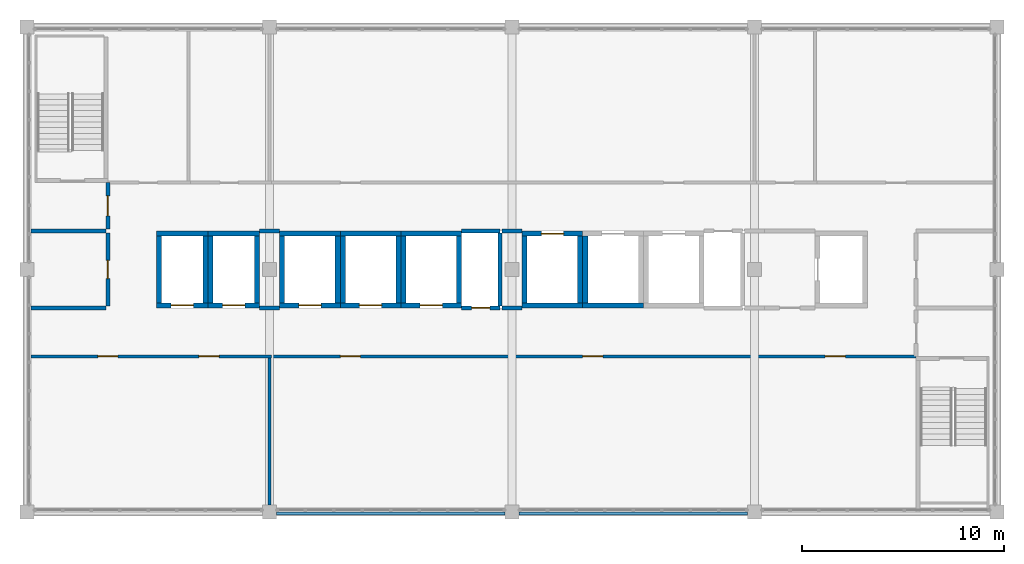
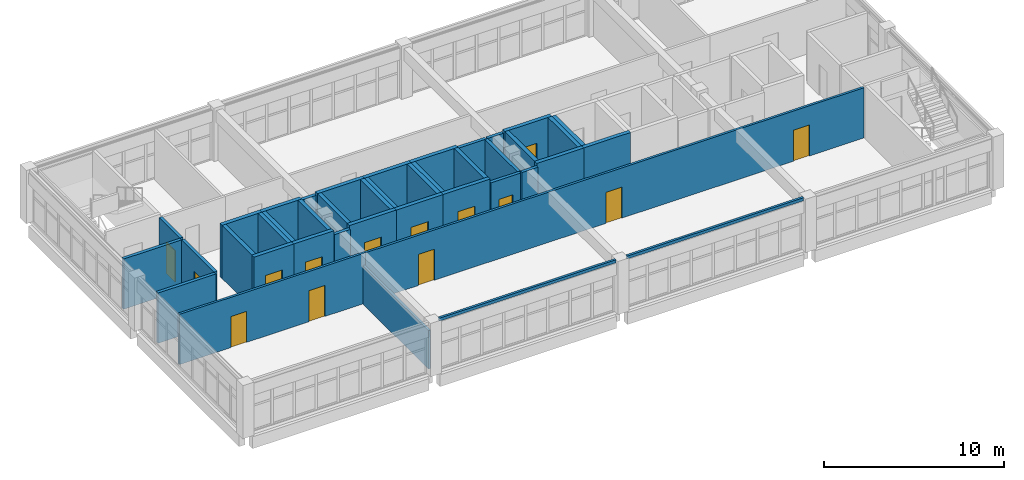
# One storey, part 13 of 16: 42 walls, 14 doors, 14 openings.
"""IFC4 building model written with IfcOpenShell, lengths in metres."""

from ifc_helpers import new_model, si_unit, direction, frame, frame_2d, origin, place, context, subcontext, project, spatial, rectangle, extrude, material, layer, layer_set, type_object, element, fill, save


model = new_model("IFC4")

# Units and contexts
model_context = context("Model", 3, precision=1e-05, world=origin(), true_north=direction((0.0, 1.0)))
body_context = subcontext(model_context, "Body", "Model", "MODEL_VIEW")
ifc_project = project(units=[si_unit("LENGTHUNIT", "METRE"), si_unit("AREAUNIT", "SQUARE_METRE"), si_unit("VOLUMEUNIT", "CUBIC_METRE"), si_unit("PLANEANGLEUNIT", "RADIAN"), si_unit("MASSUNIT", "GRAM", prefix="KILO")], contexts=[model_context])

# Site, building, storey
site_placement = place(None, origin())
site = spatial("IfcSite", under=ifc_project, at=site_placement, CompositionType="ELEMENT")
building_placement = place(site_placement, origin())
building = spatial("IfcBuilding", under=site, at=building_placement, Name="Lilac Gate Convention Centre", CompositionType="ELEMENT")
storey_placement = place(building_placement, frame((0.0, 0.0, 67.800048828125)))
storey = spatial("IfcBuildingStorey", under=building, at=storey_placement, Name="L17", CompositionType="ELEMENT", Elevation=67.800048828125)

# Wall, opening, door
ifc_material_1 = material(Name="Concrete C40", Category="concrete")
ifc_layer_1 = layer(ifc_material_1, 0.25)
ifc_layer_set_1 = layer_set([ifc_layer_1], Name="Concrete C40")
wall_type_1 = type_object("IfcWallType", Name="Core wall 250 C40", PredefinedType="SHEAR", material=ifc_layer_set_1)
wall_1_placement = place(storey_placement, frame((54.5, 232.22509765625, 0.0), z_axis=(0.0, 0.0, 1.0), x_axis=(1.0, 0.0, 0.0)))
wall_1 = element("IfcWall", 1, at=wall_1_placement, inside=storey, type_object=wall_type_1, Name="CRW5 core wall TC L17 1", PredefinedType="SHEAR", context=body_context, shape_type="SweptSolid", body=[
    extrude(rectangle(XDim=3.0, YDim=0.25, at=frame_2d((1.5, 0.0))), origin(), (0.0, 0.0, 1.0), 3.599853515625),
])
opening_1_placement = place(wall_1_placement, frame((0.949951171875, 0.0, 0.0)))
opening_1 = element("IfcOpeningElement", 2, at=opening_1_placement, cuts=wall_1, Name="Opening T17-019", PredefinedType="OPENING", context=body_context, shape_type="SweptSolid", body=[
    extrude(rectangle(XDim=1.10009765625, YDim=2.10009765625, at=frame_2d((0.550048828125, 1.050048828125))), frame((0.0, 0.135009765625, 0.0), z_axis=(0.0, -1.0, 0.0), x_axis=(1.0, 0.0, 0.0)), (0.0, 0.0, 1.0), 0.27001953125),
])
ifc_material_2 = material(Name="Stainless steel 304", Category="steel")
door_type_1 = type_object("IfcDoorType", Name="Lift landing door 1100", OperationType="SLIDING_TO_LEFT", PredefinedType="DOOR", material=ifc_material_2)
door_1_placement = place(opening_1_placement, origin())
door_1 = element("IfcDoor", 3, at=door_1_placement, inside=storey, type_object=door_type_1, Name="Lift landing door TP1 L17", OperationType="SLIDING_TO_LEFT", OverallHeight=2.10009765625, OverallWidth=1.10009765625, PredefinedType="DOOR", context=body_context, shape_type="SweptSolid", body=[
    extrude(rectangle(XDim=1.10009765625, YDim=2.10009765625, at=frame_2d((0.550048828125, 1.050048828125))), frame((0.0, 0.02490234375, 0.0), z_axis=(0.0, -1.0, 0.0), x_axis=(1.0, 0.0, 0.0)), (0.0, 0.0, 1.0), 0.050048828125),
])
fill(opening_1, door_1)

# Walls
wall_2_placement = place(storey_placement, frame((54.5, 235.77490234375, 0.0), z_axis=(0.0, 0.0, 1.0), x_axis=(1.0, 0.0, 0.0)))
element("IfcWall", 4, at=wall_2_placement, inside=storey, type_object=wall_type_1, Name="CRW5 core wall TC L17 2", PredefinedType="SHEAR", context=body_context, shape_type="SweptSolid", body=[
    extrude(rectangle(XDim=3.0, YDim=0.25, at=frame_2d((1.5, 0.0))), origin(), (0.0, 0.0, 1.0), 3.599853515625),
])
for number, where, z_axis, x_axis, name in (
    (5, (54.625, 232.35009765625, 0.0), (0.0, 0.0, 1.0), (0.0, 1.0, 0.0), "CRW5 core wall TC L17 3"),
    (6, (57.375, 232.35009765625, 0.0), (0.0, 0.0, 1.0), (0.0, 1.0, 0.0), "CRW5 core wall TC L17 4"),
):
    element("IfcWall", number, at=place(storey_placement, frame(where, z_axis=z_axis, x_axis=x_axis)), inside=storey, type_object=wall_type_1, Name=name, PredefinedType="SHEAR", context=body_context, shape_type="SweptSolid", body=[
        extrude(rectangle(XDim=3.2998046875, YDim=0.25, at=frame_2d((1.64990234375, 0.0))), origin(), (0.0, 0.0, 1.0), 3.599853515625),
    ])

# Wall, opening, door
wall_3_placement = place(storey_placement, frame((57.5, 232.22509765625, 0.0), z_axis=(0.0, 0.0, 1.0), x_axis=(1.0, 0.0, 0.0)))
wall_3 = element("IfcWall", 7, at=wall_3_placement, inside=storey, type_object=wall_type_1, Name="CRW5 core wall TC L17 5", PredefinedType="SHEAR", context=body_context, shape_type="SweptSolid", body=[
    extrude(rectangle(XDim=3.0, YDim=0.25, at=frame_2d((1.5, 0.0))), origin(), (0.0, 0.0, 1.0), 3.599853515625),
])
opening_2_placement = place(wall_3_placement, frame((0.949951171875, 0.0, 0.0)))
opening_2 = element("IfcOpeningElement", 8, at=opening_2_placement, cuts=wall_3, Name="Opening T17-020", PredefinedType="OPENING", context=body_context, shape_type="SweptSolid", body=[
    extrude(rectangle(XDim=1.10009765625, YDim=2.10009765625, at=frame_2d((0.550048828125, 1.050048828125))), frame((0.0, 0.135009765625, 0.0), z_axis=(0.0, -1.0, 0.0), x_axis=(1.0, 0.0, 0.0)), (0.0, 0.0, 1.0), 0.27001953125),
])
door_2_placement = place(opening_2_placement, origin())
door_2 = element("IfcDoor", 9, at=door_2_placement, inside=storey, type_object=door_type_1, Name="Lift landing door TP2 L17", OperationType="SLIDING_TO_LEFT", OverallHeight=2.10009765625, OverallWidth=1.10009765625, PredefinedType="DOOR", context=body_context, shape_type="SweptSolid", body=[
    extrude(rectangle(XDim=1.10009765625, YDim=2.10009765625, at=frame_2d((0.550048828125, 1.050048828125))), frame((0.0, 0.02490234375, 0.0), z_axis=(0.0, -1.0, 0.0), x_axis=(1.0, 0.0, 0.0)), (0.0, 0.0, 1.0), 0.050048828125),
])
fill(opening_2, door_2)

# Walls
wall_4_placement = place(storey_placement, frame((57.5, 235.77490234375, 0.0), z_axis=(0.0, 0.0, 1.0), x_axis=(1.0, 0.0, 0.0)))
element("IfcWall", 10, at=wall_4_placement, inside=storey, type_object=wall_type_1, Name="CRW5 core wall TC L17 6", PredefinedType="SHEAR", context=body_context, shape_type="SweptSolid", body=[
    extrude(rectangle(XDim=3.0, YDim=0.25, at=frame_2d((1.5, 0.0))), origin(), (0.0, 0.0, 1.0), 3.599853515625),
])
for number, where, z_axis, x_axis, name in (
    (11, (57.625, 232.35009765625, 0.0), (0.0, 0.0, 1.0), (0.0, 1.0, 0.0), "CRW5 core wall TC L17 7"),
    (12, (60.375, 232.35009765625, 0.0), (0.0, 0.0, 1.0), (0.0, 1.0, 0.0), "CRW5 core wall TC L17 8"),
):
    element("IfcWall", number, at=place(storey_placement, frame(where, z_axis=z_axis, x_axis=x_axis)), inside=storey, type_object=wall_type_1, Name=name, PredefinedType="SHEAR", context=body_context, shape_type="SweptSolid", body=[
        extrude(rectangle(XDim=3.2998046875, YDim=0.25, at=frame_2d((1.64990234375, 0.0))), origin(), (0.0, 0.0, 1.0), 3.599853515625),
    ])

# Wall, opening, door
wall_5_placement = place(storey_placement, frame((60.5, 232.22509765625, 0.0), z_axis=(0.0, 0.0, 1.0), x_axis=(1.0, 0.0, 0.0)))
wall_5 = element("IfcWall", 13, at=wall_5_placement, inside=storey, type_object=wall_type_1, Name="CRW5 core wall TC L17 9", PredefinedType="SHEAR", context=body_context, shape_type="SweptSolid", body=[
    extrude(rectangle(XDim=3.0, YDim=0.25, at=frame_2d((1.5, 0.0))), origin(), (0.0, 0.0, 1.0), 3.599853515625),
])
opening_3_placement = place(wall_5_placement, frame((0.949951171875, 0.0, 0.0)))
opening_3 = element("IfcOpeningElement", 14, at=opening_3_placement, cuts=wall_5, Name="Opening T17-021", PredefinedType="OPENING", context=body_context, shape_type="SweptSolid", body=[
    extrude(rectangle(XDim=1.10009765625, YDim=2.10009765625, at=frame_2d((0.550048828125, 1.050048828125))), frame((0.0, 0.135009765625, 0.0), z_axis=(0.0, -1.0, 0.0), x_axis=(1.0, 0.0, 0.0)), (0.0, 0.0, 1.0), 0.27001953125),
])
door_3_placement = place(opening_3_placement, origin())
door_3 = element("IfcDoor", 15, at=door_3_placement, inside=storey, type_object=door_type_1, Name="Lift landing door TP3 L17", OperationType="SLIDING_TO_LEFT", OverallHeight=2.10009765625, OverallWidth=1.10009765625, PredefinedType="DOOR", context=body_context, shape_type="SweptSolid", body=[
    extrude(rectangle(XDim=1.10009765625, YDim=2.10009765625, at=frame_2d((0.550048828125, 1.050048828125))), frame((0.0, 0.02490234375, 0.0), z_axis=(0.0, -1.0, 0.0), x_axis=(1.0, 0.0, 0.0)), (0.0, 0.0, 1.0), 0.050048828125),
])
fill(opening_3, door_3)

# Walls
wall_6_placement = place(storey_placement, frame((60.5, 235.77490234375, 0.0), z_axis=(0.0, 0.0, 1.0), x_axis=(1.0, 0.0, 0.0)))
element("IfcWall", 16, at=wall_6_placement, inside=storey, type_object=wall_type_1, Name="CRW5 core wall TC L17 10", PredefinedType="SHEAR", context=body_context, shape_type="SweptSolid", body=[
    extrude(rectangle(XDim=3.0, YDim=0.25, at=frame_2d((1.5, 0.0))), origin(), (0.0, 0.0, 1.0), 3.599853515625),
])
for number, where, z_axis, x_axis, name in (
    (17, (60.625, 232.35009765625, 0.0), (0.0, 0.0, 1.0), (0.0, 1.0, 0.0), "CRW5 core wall TC L17 11"),
    (18, (63.375, 232.35009765625, 0.0), (0.0, 0.0, 1.0), (0.0, 1.0, 0.0), "CRW5 core wall TC L17 12"),
):
    element("IfcWall", number, at=place(storey_placement, frame(where, z_axis=z_axis, x_axis=x_axis)), inside=storey, type_object=wall_type_1, Name=name, PredefinedType="SHEAR", context=body_context, shape_type="SweptSolid", body=[
        extrude(rectangle(XDim=3.2998046875, YDim=0.25, at=frame_2d((1.64990234375, 0.0))), origin(), (0.0, 0.0, 1.0), 3.599853515625),
    ])
wall_7_placement = place(storey_placement, frame((66.5, 232.22509765625, 0.0), z_axis=(0.0, 0.0, 1.0), x_axis=(1.0, 0.0, 0.0)))
element("IfcWall", 19, at=wall_7_placement, inside=storey, type_object=wall_type_1, Name="CRW5 core wall TC L17 13", PredefinedType="SHEAR", context=body_context, shape_type="SweptSolid", body=[
    extrude(rectangle(XDim=3.0, YDim=0.25, at=frame_2d((1.5, 0.0))), origin(), (0.0, 0.0, 1.0), 3.599853515625),
])

# Wall, opening, door
wall_8_placement = place(storey_placement, frame((66.5, 235.77490234375, 0.0), z_axis=(0.0, 0.0, 1.0), x_axis=(1.0, 0.0, 0.0)))
wall_8 = element("IfcWall", 20, at=wall_8_placement, inside=storey, type_object=wall_type_1, Name="CRW5 core wall TC L17 14", PredefinedType="SHEAR", context=body_context, shape_type="SweptSolid", body=[
    extrude(rectangle(XDim=3.0, YDim=0.25, at=frame_2d((1.5, 0.0))), origin(), (0.0, 0.0, 1.0), 3.599853515625),
])
opening_4_placement = place(wall_8_placement, frame((0.949951171875, 0.0, 0.0)))
opening_4 = element("IfcOpeningElement", 21, at=opening_4_placement, cuts=wall_8, Name="Opening T17-022", PredefinedType="OPENING", context=body_context, shape_type="SweptSolid", body=[
    extrude(rectangle(XDim=1.10009765625, YDim=2.10009765625, at=frame_2d((0.550048828125, 1.050048828125))), frame((0.0, 0.135009765625, 0.0), z_axis=(0.0, -1.0, 0.0), x_axis=(1.0, 0.0, 0.0)), (0.0, 0.0, 1.0), 0.27001953125),
])
door_4_placement = place(opening_4_placement, origin())
door_4 = element("IfcDoor", 22, at=door_4_placement, inside=storey, type_object=door_type_1, Name="Lift landing door TP4 L17", OperationType="SLIDING_TO_LEFT", OverallHeight=2.10009765625, OverallWidth=1.10009765625, PredefinedType="DOOR", context=body_context, shape_type="SweptSolid", body=[
    extrude(rectangle(XDim=1.10009765625, YDim=2.10009765625, at=frame_2d((0.550048828125, 1.050048828125))), frame((0.0, 0.02490234375, 0.0), z_axis=(0.0, -1.0, 0.0), x_axis=(1.0, 0.0, 0.0)), (0.0, 0.0, 1.0), 0.050048828125),
])
fill(opening_4, door_4)

# Walls
for number, where, z_axis, x_axis, name in (
    (23, (66.625, 232.35009765625, 0.0), (0.0, 0.0, 1.0), (0.0, 1.0, 0.0), "CRW5 core wall TC L17 15"),
    (24, (69.375, 232.35009765625, 0.0), (0.0, 0.0, 1.0), (0.0, 1.0, 0.0), "CRW5 core wall TC L17 16"),
):
    element("IfcWall", number, at=place(storey_placement, frame(where, z_axis=z_axis, x_axis=x_axis)), inside=storey, type_object=wall_type_1, Name=name, PredefinedType="SHEAR", context=body_context, shape_type="SweptSolid", body=[
        extrude(rectangle(XDim=3.2998046875, YDim=0.25, at=frame_2d((1.64990234375, 0.0))), origin(), (0.0, 0.0, 1.0), 3.599853515625),
    ])
wall_9_placement = place(storey_placement, frame((69.5, 232.22509765625, 0.0), z_axis=(0.0, 0.0, 1.0), x_axis=(1.0, 0.0, 0.0)))
element("IfcWall", 25, at=wall_9_placement, inside=storey, type_object=wall_type_1, Name="CRW5 core wall TC L17 17", PredefinedType="SHEAR", context=body_context, shape_type="SweptSolid", body=[
    extrude(rectangle(XDim=3.0, YDim=0.25, at=frame_2d((1.5, 0.0))), origin(), (0.0, 0.0, 1.0), 3.599853515625),
])
wall_10_placement = place(storey_placement, frame((69.625, 232.35009765625, 0.0), z_axis=(0.0, 0.0, 1.0), x_axis=(0.0, 1.0, 0.0)))
element("IfcWall", 26, at=wall_10_placement, inside=storey, type_object=wall_type_1, Name="CRW5 core wall TC L17 19", PredefinedType="SHEAR", context=body_context, shape_type="SweptSolid", body=[
    extrude(rectangle(XDim=3.2998046875, YDim=0.25, at=frame_2d((1.64990234375, 0.0))), origin(), (0.0, 0.0, 1.0), 3.599853515625),
])

# Wall, opening, door
wall_11_placement = place(storey_placement, frame((48.39990234375, 232.22509765625, 0.0), z_axis=(0.0, 0.0, 1.0), x_axis=(1.0, 0.0, 0.0)))
wall_11 = element("IfcWall", 27, at=wall_11_placement, inside=storey, type_object=wall_type_1, Name="CRW5 core wall TC L17 25", PredefinedType="SHEAR", context=body_context, shape_type="SweptSolid", body=[
    extrude(rectangle(XDim=2.550048828125, YDim=0.25, at=frame_2d((1.27490234375, 0.0))), origin(), (0.0, 0.0, 1.0), 3.599853515625),
])
opening_5_placement = place(wall_11_placement, frame((0.72509765625, 0.0, 0.0)))
opening_5 = element("IfcOpeningElement", 28, at=opening_5_placement, cuts=wall_11, Name="Opening T17-025", PredefinedType="OPENING", context=body_context, shape_type="SweptSolid", body=[
    extrude(rectangle(XDim=1.10009765625, YDim=2.10009765625, at=frame_2d((0.550048828125, 1.050048828125))), frame((0.0, 0.135009765625, 0.0), z_axis=(0.0, -1.0, 0.0), x_axis=(1.0, 0.0, 0.0)), (0.0, 0.0, 1.0), 0.27001953125),
])
door_5_placement = place(opening_5_placement, origin())
door_5 = element("IfcDoor", 29, at=door_5_placement, inside=storey, type_object=door_type_1, Name="Lift landing door TS1 L17", OperationType="SLIDING_TO_LEFT", OverallHeight=2.10009765625, OverallWidth=1.10009765625, PredefinedType="DOOR", context=body_context, shape_type="SweptSolid", body=[
    extrude(rectangle(XDim=1.10009765625, YDim=2.10009765625, at=frame_2d((0.550048828125, 1.050048828125))), frame((0.0, 0.02490234375, 0.0), z_axis=(0.0, -1.0, 0.0), x_axis=(1.0, 0.0, 0.0)), (0.0, 0.0, 1.0), 0.050048828125),
])
fill(opening_5, door_5)

# Walls
wall_12_placement = place(storey_placement, frame((48.39990234375, 235.77490234375, 0.0), z_axis=(0.0, 0.0, 1.0), x_axis=(1.0, 0.0, 0.0)))
element("IfcWall", 30, at=wall_12_placement, inside=storey, type_object=wall_type_1, Name="CRW5 core wall TC L17 26", PredefinedType="SHEAR", context=body_context, shape_type="SweptSolid", body=[
    extrude(rectangle(XDim=2.550048828125, YDim=0.25, at=frame_2d((1.27490234375, 0.0))), origin(), (0.0, 0.0, 1.0), 3.599853515625),
])
for number, where, z_axis, x_axis, name in (
    (31, (48.52490234375, 232.35009765625, 0.0), (0.0, 0.0, 1.0), (0.0, 1.0, 0.0), "CRW5 core wall TC L17 27"),
    (32, (50.824951171875, 232.35009765625, 0.0), (0.0, 0.0, 1.0), (0.0, 1.0, 0.0), "CRW5 core wall TC L17 28"),
):
    element("IfcWall", number, at=place(storey_placement, frame(where, z_axis=z_axis, x_axis=x_axis)), inside=storey, type_object=wall_type_1, Name=name, PredefinedType="SHEAR", context=body_context, shape_type="SweptSolid", body=[
        extrude(rectangle(XDim=3.2998046875, YDim=0.25, at=frame_2d((1.64990234375, 0.0))), origin(), (0.0, 0.0, 1.0), 3.599853515625),
    ])

# Wall, opening, door
wall_13_placement = place(storey_placement, frame((50.949951171875, 232.22509765625, 0.0), z_axis=(0.0, 0.0, 1.0), x_axis=(1.0, 0.0, 0.0)))
wall_13 = element("IfcWall", 33, at=wall_13_placement, inside=storey, type_object=wall_type_1, Name="CRW5 core wall TC L17 29", PredefinedType="SHEAR", context=body_context, shape_type="SweptSolid", body=[
    extrude(rectangle(XDim=2.550048828125, YDim=0.25, at=frame_2d((1.27490234375, 0.0))), origin(), (0.0, 0.0, 1.0), 3.599853515625),
])
opening_6_placement = place(wall_13_placement, frame((0.72509765625, 0.0, 0.0)))
opening_6 = element("IfcOpeningElement", 34, at=opening_6_placement, cuts=wall_13, Name="Opening T17-026", PredefinedType="OPENING", context=body_context, shape_type="SweptSolid", body=[
    extrude(rectangle(XDim=1.10009765625, YDim=2.10009765625, at=frame_2d((0.550048828125, 1.050048828125))), frame((0.0, 0.135009765625, 0.0), z_axis=(0.0, -1.0, 0.0), x_axis=(1.0, 0.0, 0.0)), (0.0, 0.0, 1.0), 0.27001953125),
])
door_6_placement = place(opening_6_placement, origin())
door_6 = element("IfcDoor", 35, at=door_6_placement, inside=storey, type_object=door_type_1, Name="Lift landing door TS2 L17", OperationType="SLIDING_TO_LEFT", OverallHeight=2.10009765625, OverallWidth=1.10009765625, PredefinedType="DOOR", context=body_context, shape_type="SweptSolid", body=[
    extrude(rectangle(XDim=1.10009765625, YDim=2.10009765625, at=frame_2d((0.550048828125, 1.050048828125))), frame((0.0, 0.02490234375, 0.0), z_axis=(0.0, -1.0, 0.0), x_axis=(1.0, 0.0, 0.0)), (0.0, 0.0, 1.0), 0.050048828125),
])
fill(opening_6, door_6)

# Walls
wall_14_placement = place(storey_placement, frame((50.949951171875, 235.77490234375, 0.0), z_axis=(0.0, 0.0, 1.0), x_axis=(1.0, 0.0, 0.0)))
element("IfcWall", 36, at=wall_14_placement, inside=storey, type_object=wall_type_1, Name="CRW5 core wall TC L17 30", PredefinedType="SHEAR", context=body_context, shape_type="SweptSolid", body=[
    extrude(rectangle(XDim=2.550048828125, YDim=0.25, at=frame_2d((1.27490234375, 0.0))), origin(), (0.0, 0.0, 1.0), 3.599853515625),
])
for number, where, z_axis, x_axis, name in (
    (37, (51.074951171875, 232.35009765625, 0.0), (0.0, 0.0, 1.0), (0.0, 1.0, 0.0), "CRW5 core wall TC L17 31"),
    (38, (53.375, 232.35009765625, 0.0), (0.0, 0.0, 1.0), (0.0, 1.0, 0.0), "CRW5 core wall TC L17 32"),
):
    element("IfcWall", number, at=place(storey_placement, frame(where, z_axis=z_axis, x_axis=x_axis)), inside=storey, type_object=wall_type_1, Name=name, PredefinedType="SHEAR", context=body_context, shape_type="SweptSolid", body=[
        extrude(rectangle(XDim=3.2998046875, YDim=0.25, at=frame_2d((1.64990234375, 0.0))), origin(), (0.0, 0.0, 1.0), 3.599853515625),
    ])

# Wall, openings, doors
ifc_material_3 = material(Name="Gypsum board on steel stud", Category="steel")
ifc_layer_2 = layer(ifc_material_3, 0.14990234375)
ifc_layer_set_2 = layer_set([ifc_layer_2], Name="Gypsum board on steel stud")
wall_type_2 = type_object("IfcWallType", Name="Corridor wall 150", PredefinedType="PARTITIONING", material=ifc_layer_set_2)
wall_15_placement = place(storey_placement, frame((54.10009765625, 229.699951171875, 0.0), z_axis=(0.0, 0.0, 1.0), x_axis=(-1.0, 0.0, 0.0)))
wall_15 = element("IfcWall", 39, at=wall_15_placement, inside=storey, type_object=wall_type_2, Name="Corridor wall 150 front BQS", PredefinedType="PARTITIONING", context=body_context, shape_type="SweptSolid", body=[
    extrude(rectangle(XDim=11.89990234375, YDim=0.14990234375, at=frame_2d((5.949951171875, 0.0))), origin(), (0.0, 0.0, 1.0), 3.39990234375),
])
opening_7_placement = place(wall_15_placement, frame((7.60009765625, 0.0, 0.0)))
opening_7 = element("IfcOpeningElement", 40, at=opening_7_placement, cuts=wall_15, Name="Opening T17-008", PredefinedType="OPENING", context=body_context, shape_type="SweptSolid", body=[
    extrude(rectangle(XDim=1.0, YDim=2.10009765625, at=frame_2d((0.5, 1.050048828125))), frame((0.0, 0.0849609375, 0.0), z_axis=(0.0, -1.0, 0.0), x_axis=(1.0, 0.0, 0.0)), (0.0, 0.0, 1.0), 0.169921875),
])
opening_8_placement = place(wall_15_placement, frame((2.60009765625, 0.0, 0.0)))
opening_8 = element("IfcOpeningElement", 41, at=opening_8_placement, cuts=wall_15, Name="Opening T17-009", PredefinedType="OPENING", context=body_context, shape_type="SweptSolid", body=[
    extrude(rectangle(XDim=1.0, YDim=2.10009765625, at=frame_2d((0.5, 1.050048828125))), frame((0.0, 0.0849609375, 0.0), z_axis=(0.0, -1.0, 0.0), x_axis=(1.0, 0.0, 0.0)), (0.0, 0.0, 1.0), 0.169921875),
])
ifc_material_4 = material(Name="Timber", Category="wood")
door_type_2 = type_object("IfcDoorType", Name="Room door 1000", OperationType="SINGLE_SWING_LEFT", PredefinedType="DOOR", material=ifc_material_4)
door_7_placement = place(opening_7_placement, origin())
door_7 = element("IfcDoor", 42, at=door_7_placement, inside=storey, type_object=door_type_2, Name="Banquet Room door", OperationType="SINGLE_SWING_RIGHT", OverallHeight=2.10009765625, OverallWidth=1.0, PredefinedType="DOOR", context=body_context, shape_type="SweptSolid", body=[
    extrude(rectangle(XDim=1.0, YDim=2.10009765625, at=frame_2d((0.5, 1.050048828125))), frame((0.0, 0.02490234375, 0.0), z_axis=(0.0, -1.0, 0.0), x_axis=(1.0, 0.0, 0.0)), (0.0, 0.0, 1.0), 0.050048828125),
])
fill(opening_7, door_7)
door_8_placement = place(opening_8_placement, origin())
door_8 = element("IfcDoor", 43, at=door_8_placement, inside=storey, type_object=door_type_2, Name="Banquet Room door", OperationType="SINGLE_SWING_LEFT", OverallHeight=2.10009765625, OverallWidth=1.0, PredefinedType="DOOR", context=body_context, shape_type="SweptSolid", body=[
    extrude(rectangle(XDim=1.0, YDim=2.10009765625, at=frame_2d((0.5, 1.050048828125))), frame((0.0, 0.02490234375, 0.0), z_axis=(0.0, -1.0, 0.0), x_axis=(1.0, 0.0, 0.0)), (0.0, 0.0, 1.0), 0.050048828125),
])
fill(opening_8, door_8)

wall_16_placement = place(storey_placement, frame((86.0, 229.699951171875, 0.0), z_axis=(0.0, 0.0, 1.0), x_axis=(-1.0, 0.0, 0.0)))
wall_16 = element("IfcWall", 44, at=wall_16_placement, inside=storey, type_object=wall_type_2, Name="Corridor wall 150 front SKL", PredefinedType="PARTITIONING", context=body_context, shape_type="SweptSolid", body=[
    extrude(rectangle(XDim=31.89990234375, YDim=0.14990234375, at=frame_2d((15.949951171875, 0.0))), origin(), (0.0, 0.0, 1.0), 3.39990234375),
])
opening_9_placement = place(wall_16_placement, frame((27.5, 0.0, 0.0)))
opening_9 = element("IfcOpeningElement", 45, at=opening_9_placement, cuts=wall_16, Name="Opening T17-010", PredefinedType="OPENING", context=body_context, shape_type="SweptSolid", body=[
    extrude(rectangle(XDim=1.0, YDim=2.10009765625, at=frame_2d((0.5, 1.050048828125))), frame((0.0, 0.0849609375, 0.0), z_axis=(0.0, -1.0, 0.0), x_axis=(1.0, 0.0, 0.0)), (0.0, 0.0, 1.0), 0.169921875),
])
opening_10_placement = place(wall_16_placement, frame((15.5, 0.0, 0.0)))
opening_10 = element("IfcOpeningElement", 46, at=opening_10_placement, cuts=wall_16, Name="Opening T17-011", PredefinedType="OPENING", context=body_context, shape_type="SweptSolid", body=[
    extrude(rectangle(XDim=1.0, YDim=2.10009765625, at=frame_2d((0.5, 1.050048828125))), frame((0.0, 0.0849609375, 0.0), z_axis=(0.0, -1.0, 0.0), x_axis=(1.0, 0.0, 0.0)), (0.0, 0.0, 1.0), 0.169921875),
])
opening_11_placement = place(wall_16_placement, frame((3.5, 0.0, 0.0)))
opening_11 = element("IfcOpeningElement", 47, at=opening_11_placement, cuts=wall_16, Name="Opening T17-012", PredefinedType="OPENING", context=body_context, shape_type="SweptSolid", body=[
    extrude(rectangle(XDim=1.0, YDim=2.10009765625, at=frame_2d((0.5, 1.050048828125))), frame((0.0, 0.0849609375, 0.0), z_axis=(0.0, -1.0, 0.0), x_axis=(1.0, 0.0, 0.0)), (0.0, 0.0, 1.0), 0.169921875),
])
door_9_placement = place(opening_9_placement, origin())
door_9 = element("IfcDoor", 48, at=door_9_placement, inside=storey, type_object=door_type_2, Name="Sky Lounge door", OperationType="SINGLE_SWING_RIGHT", OverallHeight=2.10009765625, OverallWidth=1.0, PredefinedType="DOOR", context=body_context, shape_type="SweptSolid", body=[
    extrude(rectangle(XDim=1.0, YDim=2.10009765625, at=frame_2d((0.5, 1.050048828125))), frame((0.0, 0.02490234375, 0.0), z_axis=(0.0, -1.0, 0.0), x_axis=(1.0, 0.0, 0.0)), (0.0, 0.0, 1.0), 0.050048828125),
])
fill(opening_9, door_9)
door_10_placement = place(opening_10_placement, origin())
door_10 = element("IfcDoor", 49, at=door_10_placement, inside=storey, type_object=door_type_2, Name="Sky Lounge door", OperationType="SINGLE_SWING_RIGHT", OverallHeight=2.10009765625, OverallWidth=1.0, PredefinedType="DOOR", context=body_context, shape_type="SweptSolid", body=[
    extrude(rectangle(XDim=1.0, YDim=2.10009765625, at=frame_2d((0.5, 1.050048828125))), frame((0.0, 0.02490234375, 0.0), z_axis=(0.0, -1.0, 0.0), x_axis=(1.0, 0.0, 0.0)), (0.0, 0.0, 1.0), 0.050048828125),
])
fill(opening_10, door_10)
door_11_placement = place(opening_11_placement, origin())
door_11 = element("IfcDoor", 50, at=door_11_placement, inside=storey, type_object=door_type_2, Name="Sky Lounge door", OperationType="SINGLE_SWING_LEFT", OverallHeight=2.10009765625, OverallWidth=1.0, PredefinedType="DOOR", context=body_context, shape_type="SweptSolid", body=[
    extrude(rectangle(XDim=1.0, YDim=2.10009765625, at=frame_2d((0.5, 1.050048828125))), frame((0.0, 0.02490234375, 0.0), z_axis=(0.0, -1.0, 0.0), x_axis=(1.0, 0.0, 0.0)), (0.0, 0.0, 1.0), 0.050048828125),
])
fill(opening_11, door_11)

# Wall, opening, door
ifc_layer_3 = layer(ifc_material_3, 0.199951171875)
ifc_layer_set_3 = layer_set([ifc_layer_3], Name="Gypsum board on steel stud")
wall_type_3 = type_object("IfcWallType", Name="Lobby wall 200", PredefinedType="PARTITIONING", material=ifc_layer_set_3)
wall_17_placement = place(storey_placement, frame((46.0, 236.0, 0.0), z_axis=(0.0, 0.0, 1.0), x_axis=(0.0, 1.0, 0.0)))
wall_17 = element("IfcWall", 51, at=wall_17_placement, inside=storey, type_object=wall_type_3, Name="Lobby wall 200 STL-NW-E", PredefinedType="PARTITIONING", context=body_context, shape_type="SweptSolid", body=[
    extrude(rectangle(XDim=2.300048828125, YDim=0.199951171875, at=frame_2d((1.14990234375, 0.0))), origin(), (0.0, 0.0, 1.0), 3.39990234375),
])
opening_12_placement = place(wall_17_placement, frame((0.64990234375, 0.0, 0.0)))
opening_12 = element("IfcOpeningElement", 52, at=opening_12_placement, cuts=wall_17, Name="Opening T17-006", PredefinedType="OPENING", context=body_context, shape_type="SweptSolid", body=[
    extrude(rectangle(XDim=1.0, YDim=2.10009765625, at=frame_2d((0.5, 1.050048828125))), frame((0.0, 0.10986328125, 0.0), z_axis=(0.0, -1.0, 0.0), x_axis=(1.0, 0.0, 0.0)), (0.0, 0.0, 1.0), 0.219970703125),
])
ifc_material_5 = material(Name="Steel Q235B", Category="steel")
door_type_3 = type_object("IfcDoorType", Name="Lobby door 1000", OperationType="SINGLE_SWING_LEFT", PredefinedType="DOOR", material=ifc_material_5)
door_12_placement = place(opening_12_placement, origin())
door_12 = element("IfcDoor", 53, at=door_12_placement, inside=storey, type_object=door_type_3, Name="Stair lobby door NW", OperationType="SINGLE_SWING_LEFT", OverallHeight=2.10009765625, OverallWidth=1.0, PredefinedType="DOOR", context=body_context, shape_type="SweptSolid", body=[
    extrude(rectangle(XDim=1.0, YDim=2.10009765625, at=frame_2d((0.5, 1.050048828125))), frame((0.0, 0.02490234375, 0.0), z_axis=(0.0, -1.0, 0.0), x_axis=(1.0, 0.0, 0.0)), (0.0, 0.0, 1.0), 0.050048828125),
])
fill(opening_12, door_12)

# Walls
ifc_material_6 = material(Name="Concrete C40 precast", Category="concrete")
ifc_layer_4 = layer(ifc_material_6, 0.1298828125)
ifc_material_7 = material(Name="Teal glazed cladding")
ifc_layer_5 = layer(ifc_material_7, 0.02001953125)
ifc_layer_set_4 = layer_set([ifc_layer_4, ifc_layer_5], Name="Concrete C40 precast, Teal glazed cladding")
wall_type_4 = type_object("IfcWallType", Name="Precast band teal 150", PredefinedType="STANDARD", material=ifc_layer_set_4)
for number, where, z_axis, x_axis, name in (
    (54, (54.35009765625, 221.925048828125, 3.39990234375), (0.0, 0.0, 1.0), (1.0, 0.0, 0.0), "Precast band S L17 2"),
    (55, (66.35009765625, 221.925048828125, 3.39990234375), (0.0, 0.0, 1.0), (1.0, 0.0, 0.0), "Precast band S L17 3"),
):
    element("IfcWall", number, at=place(storey_placement, frame(where, z_axis=z_axis, x_axis=x_axis)), inside=storey, type_object=wall_type_4, Name=name, PredefinedType="STANDARD", context=body_context, shape_type="SweptSolid", body=[
        extrude(rectangle(XDim=11.2998046875, YDim=0.14990234375, at=frame_2d((5.64990234375, 0.0))), origin(), (0.0, 0.0, 1.0), 0.199951171875),
    ])
ifc_layer_6 = layer(ifc_material_3, 0.199951171875)
ifc_layer_set_5 = layer_set([ifc_layer_6], Name="Gypsum board on steel stud")
wall_type_5 = type_object("IfcWallType", Name="Riser and store wall 200", PredefinedType="PARTITIONING", material=ifc_layer_set_5)
wall_18_placement = place(storey_placement, frame((42.2001953125, 232.10009765625, 0.0), z_axis=(0.0, 0.0, 1.0), x_axis=(1.0, 0.0, 0.0)))
element("IfcWall", 56, at=wall_18_placement, inside=storey, type_object=wall_type_5, Name="Riser and store wall 200 HKW-S", PredefinedType="PARTITIONING", context=body_context, shape_type="SweptSolid", body=[
    extrude(rectangle(XDim=3.69970703125, YDim=0.199951171875, at=frame_2d((1.849853515625, 0.0))), origin(), (0.0, 0.0, 1.0), 3.39990234375),
])
wall_19_placement = place(storey_placement, frame((53.5, 232.10009765625, 0.0), z_axis=(0.0, 0.0, 1.0), x_axis=(1.0, 0.0, 0.0)))
element("IfcWall", 57, at=wall_19_placement, inside=storey, type_object=wall_type_5, Name="Riser and store wall 200 NICHE1-S", PredefinedType="PARTITIONING", context=body_context, shape_type="SweptSolid", body=[
    extrude(rectangle(XDim=1.0, YDim=0.199951171875, at=frame_2d((0.5, 0.0))), origin(), (0.0, 0.0, 1.0), 3.39990234375),
])

# Wall, opening, door
wall_20_placement = place(storey_placement, frame((63.5, 232.10009765625, 0.0), z_axis=(0.0, 0.0, 1.0), x_axis=(1.0, 0.0, 0.0)))
wall_20 = element("IfcWall", 58, at=wall_20_placement, inside=storey, type_object=wall_type_5, Name="Riser and store wall 200 RS1-S", PredefinedType="PARTITIONING", context=body_context, shape_type="SweptSolid", body=[
    extrude(rectangle(XDim=1.89990234375, YDim=0.199951171875, at=frame_2d((0.949951171875, 0.0))), origin(), (0.0, 0.0, 1.0), 3.39990234375),
])
opening_13_placement = place(wall_20_placement, frame((0.5, 0.0, 0.0)))
opening_13 = element("IfcOpeningElement", 59, at=opening_13_placement, cuts=wall_20, Name="Opening T17-002", PredefinedType="OPENING", context=body_context, shape_type="SweptSolid", body=[
    extrude(rectangle(XDim=0.89990234375, YDim=2.10009765625, at=frame_2d((0.449951171875, 1.050048828125))), frame((0.0, 0.10986328125, 0.0), z_axis=(0.0, -1.0, 0.0), x_axis=(1.0, 0.0, 0.0)), (0.0, 0.0, 1.0), 0.219970703125),
])
door_type_4 = type_object("IfcDoorType", Name="Riser and store door 900", OperationType="SINGLE_SWING_LEFT", PredefinedType="DOOR", material=ifc_material_5)
door_13_placement = place(opening_13_placement, origin())
door_13 = element("IfcDoor", 60, at=door_13_placement, inside=storey, type_object=door_type_4, Name="Riser room door", OperationType="SINGLE_SWING_RIGHT", OverallHeight=2.10009765625, OverallWidth=0.89990234375, PredefinedType="DOOR", context=body_context, shape_type="SweptSolid", body=[
    extrude(rectangle(XDim=0.89990234375, YDim=2.10009765625, at=frame_2d((0.449951171875, 1.050048828125))), frame((0.0, 0.02490234375, 0.0), z_axis=(0.0, -1.0, 0.0), x_axis=(1.0, 0.0, 0.0)), (0.0, 0.0, 1.0), 0.050048828125),
])
fill(opening_13, door_13)

# Walls
wall_21_placement = place(storey_placement, frame((65.5, 232.10009765625, 0.0), z_axis=(0.0, 0.0, 1.0), x_axis=(1.0, 0.0, 0.0)))
element("IfcWall", 61, at=wall_21_placement, inside=storey, type_object=wall_type_5, Name="Riser and store wall 200 NICHE2-S", PredefinedType="PARTITIONING", context=body_context, shape_type="SweptSolid", body=[
    extrude(rectangle(XDim=1.0, YDim=0.199951171875, at=frame_2d((0.5, 0.0))), origin(), (0.0, 0.0, 1.0), 3.39990234375),
])
wall_22_placement = place(storey_placement, frame((42.2001953125, 235.89990234375, 0.0), z_axis=(0.0, 0.0, 1.0), x_axis=(1.0, 0.0, 0.0)))
element("IfcWall", 62, at=wall_22_placement, inside=storey, type_object=wall_type_5, Name="Riser and store wall 200 HKW-N", PredefinedType="PARTITIONING", context=body_context, shape_type="SweptSolid", body=[
    extrude(rectangle(XDim=3.69970703125, YDim=0.199951171875, at=frame_2d((1.849853515625, 0.0))), origin(), (0.0, 0.0, 1.0), 3.39990234375),
])
wall_23_placement = place(storey_placement, frame((53.5, 235.89990234375, 0.0), z_axis=(0.0, 0.0, 1.0), x_axis=(1.0, 0.0, 0.0)))
element("IfcWall", 63, at=wall_23_placement, inside=storey, type_object=wall_type_5, Name="Riser and store wall 200 NICHE1-N", PredefinedType="PARTITIONING", context=body_context, shape_type="SweptSolid", body=[
    extrude(rectangle(XDim=1.0, YDim=0.199951171875, at=frame_2d((0.5, 0.0))), origin(), (0.0, 0.0, 1.0), 3.39990234375),
])
wall_24_placement = place(storey_placement, frame((63.5, 235.89990234375, 0.0), z_axis=(0.0, 0.0, 1.0), x_axis=(1.0, 0.0, 0.0)))
element("IfcWall", 64, at=wall_24_placement, inside=storey, type_object=wall_type_5, Name="Riser and store wall 200 RS1-N", PredefinedType="PARTITIONING", context=body_context, shape_type="SweptSolid", body=[
    extrude(rectangle(XDim=1.89990234375, YDim=0.199951171875, at=frame_2d((0.949951171875, 0.0))), origin(), (0.0, 0.0, 1.0), 3.39990234375),
])
wall_25_placement = place(storey_placement, frame((65.5, 235.89990234375, 0.0), z_axis=(0.0, 0.0, 1.0), x_axis=(1.0, 0.0, 0.0)))
element("IfcWall", 65, at=wall_25_placement, inside=storey, type_object=wall_type_5, Name="Riser and store wall 200 NICHE2-N", PredefinedType="PARTITIONING", context=body_context, shape_type="SweptSolid", body=[
    extrude(rectangle(XDim=1.0, YDim=0.199951171875, at=frame_2d((0.5, 0.0))), origin(), (0.0, 0.0, 1.0), 3.39990234375),
])

# Wall, opening, door
wall_26_placement = place(storey_placement, frame((46.0, 232.199951171875, 0.0), z_axis=(0.0, 0.0, 1.0), x_axis=(0.0, 1.0, 0.0)))
wall_26 = element("IfcWall", 66, at=wall_26_placement, inside=storey, type_object=wall_type_5, Name="Riser and store wall 200 HKW-E", PredefinedType="PARTITIONING", context=body_context, shape_type="SweptSolid", body=[
    extrude(rectangle(XDim=3.60009765625, YDim=0.199951171875, at=frame_2d((1.800048828125, 0.0))), origin(), (0.0, 0.0, 1.0), 3.39990234375),
])
opening_14_placement = place(wall_26_placement, frame((1.35009765625, 0.0, 0.0)))
opening_14 = element("IfcOpeningElement", 67, at=opening_14_placement, cuts=wall_26, Name="Opening T17-001", PredefinedType="OPENING", context=body_context, shape_type="SweptSolid", body=[
    extrude(rectangle(XDim=0.89990234375, YDim=2.10009765625, at=frame_2d((0.449951171875, 1.050048828125))), frame((0.0, 0.10986328125, 0.0), z_axis=(0.0, -1.0, 0.0), x_axis=(1.0, 0.0, 0.0)), (0.0, 0.0, 1.0), 0.219970703125),
])
door_14_placement = place(opening_14_placement, origin())
door_14 = element("IfcDoor", 68, at=door_14_placement, inside=storey, type_object=door_type_4, Name="Housekeeping door", OperationType="SINGLE_SWING_LEFT", OverallHeight=2.10009765625, OverallWidth=0.89990234375, PredefinedType="DOOR", context=body_context, shape_type="SweptSolid", body=[
    extrude(rectangle(XDim=0.89990234375, YDim=2.10009765625, at=frame_2d((0.449951171875, 1.050048828125))), frame((0.0, 0.02490234375, 0.0), z_axis=(0.0, -1.0, 0.0), x_axis=(1.0, 0.0, 0.0)), (0.0, 0.0, 1.0), 0.050048828125),
])
fill(opening_14, door_14)

# Walls
wall_27_placement = place(storey_placement, frame((65.39990234375, 232.199951171875, 0.0), z_axis=(0.0, 0.0, 1.0), x_axis=(0.0, 1.0, 0.0)))
element("IfcWall", 69, at=wall_27_placement, inside=storey, type_object=wall_type_5, Name="Riser and store wall 200 RS1-E", PredefinedType="PARTITIONING", context=body_context, shape_type="SweptSolid", body=[
    extrude(rectangle(XDim=3.60009765625, YDim=0.199951171875, at=frame_2d((1.800048828125, 0.0))), origin(), (0.0, 0.0, 1.0), 3.39990234375),
])
ifc_layer_7 = layer(ifc_material_3, 0.14990234375)
ifc_layer_set_6 = layer_set([ifc_layer_7], Name="Gypsum board on steel stud")
wall_type_6 = type_object("IfcWallType", Name="Room partition 150", PredefinedType="PARTITIONING", material=ifc_layer_set_6)
wall_28_placement = place(storey_placement, frame((54.0, 222.35009765625, 0.0), z_axis=(0.0, 0.0, 1.0), x_axis=(0.0, 1.0, 0.0)))
element("IfcWall", 70, at=wall_28_placement, inside=storey, type_object=wall_type_6, Name="Room partition 150 part SKL", PredefinedType="PARTITIONING", context=body_context, shape_type="SweptSolid", body=[
    extrude(rectangle(XDim=7.27490234375, YDim=0.14990234375, at=frame_2d((3.637451171875, 0.0))), origin(), (0.0, 0.0, 1.0), 2.599853515625),
])

save(model, "model.ifc")
